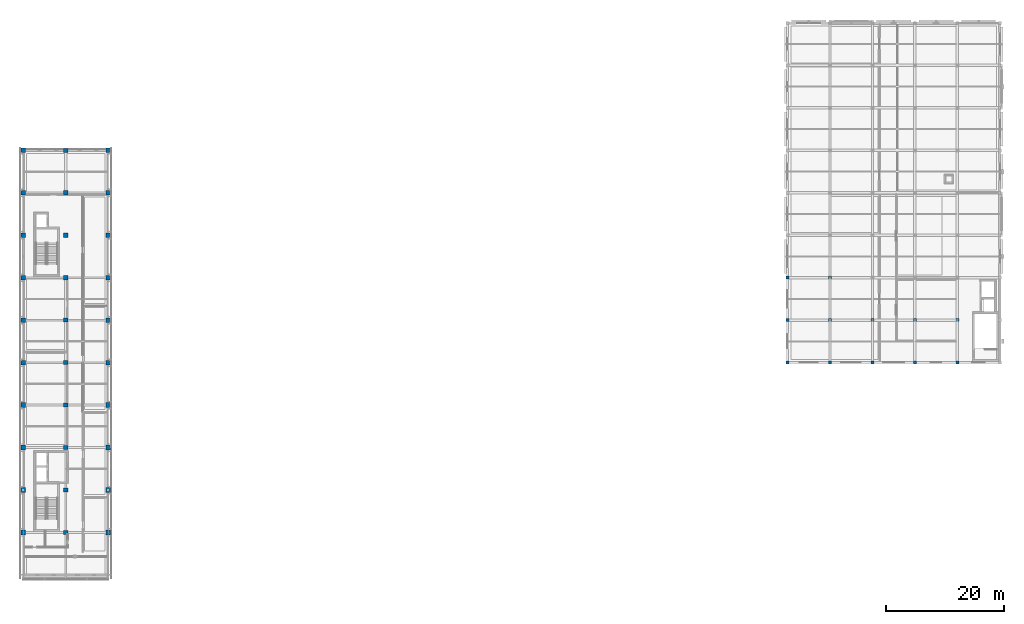
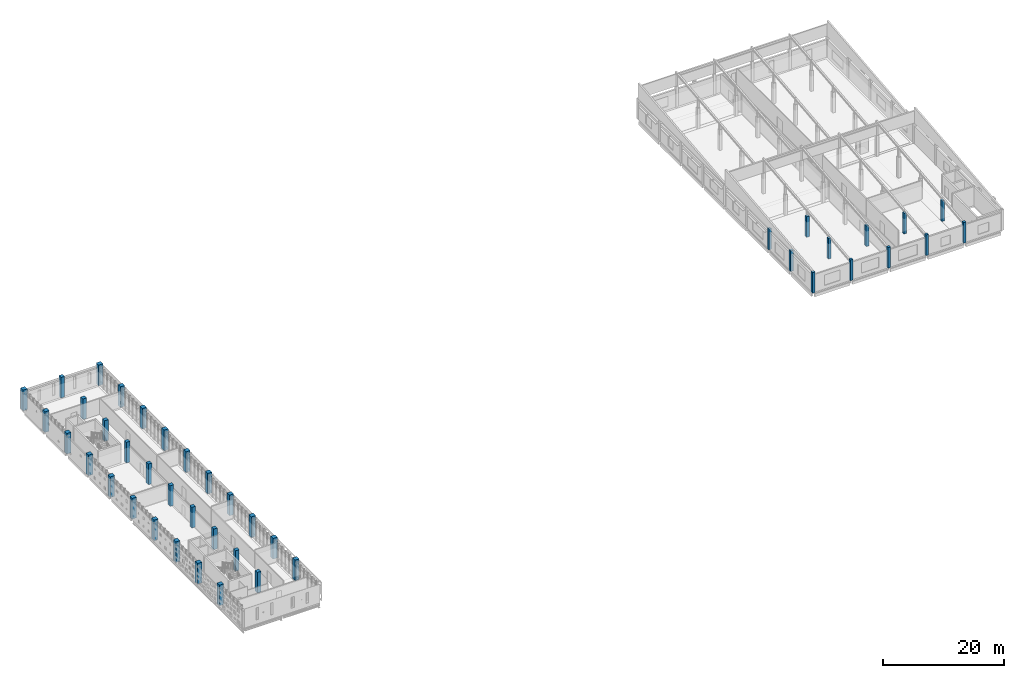
# One storey, part 1 of 33: 42 columns.
"""IFC4 building model written with IfcOpenShell, lengths in metres."""

from ifc_helpers import new_model, si_unit, direction, frame, origin, origin_2d, place, context, subcontext, project, spatial, rectangle, extrude, material, material_profile, profile_set, type_object, element, save


model = new_model("IFC4")

# Units and contexts
model_context = context("Model", 3, precision=1e-05, world=origin(), true_north=direction((0.0, 1.0)))
body_context = subcontext(model_context, "Body", "Model", "MODEL_VIEW")
ifc_project = project(units=[si_unit("LENGTHUNIT", "METRE"), si_unit("AREAUNIT", "SQUARE_METRE"), si_unit("VOLUMEUNIT", "CUBIC_METRE"), si_unit("PLANEANGLEUNIT", "RADIAN"), si_unit("MASSUNIT", "GRAM", prefix="KILO")], contexts=[model_context])

# Site, building, storey
site_placement = place(None, origin())
site = spatial("IfcSite", under=ifc_project, at=site_placement, CompositionType="ELEMENT")
building_placement = place(site_placement, origin())
building = spatial("IfcBuilding", under=site, at=building_placement, Name="Valkovuoma Quantum and Materials Research Institute", CompositionType="ELEMENT")
storey_placement = place(building_placement, frame((0.0, 0.0, 25.60009765625)))
storey = spatial("IfcBuildingStorey", under=building, at=storey_placement, Name="L06", CompositionType="ELEMENT", Elevation=25.60009765625)

# Columns
ifc_material_1 = material(Name="Concrete C40/50", Category="concrete")
ifc_material_profile_1 = material_profile(ifc_material_1, rectangle(XDim=0.5, YDim=0.5, at=origin_2d()), Name="Concrete C40/50")
ifc_profile_set_1 = profile_set([ifc_material_profile_1], Name="Concrete C40/50")
column_type_1 = type_object("IfcColumnType", Name="Col-C-RC500", PredefinedType="COLUMN", material=ifc_profile_set_1)
for number, where, z_axis, x_axis, name in (
    (1, (129.60009765625, 57.60009765625, 0.0), (0.0, 0.0, 1.0), (1.0, 0.0, 0.0), "L06 column 19J"),
    (2, (129.60009765625, 64.800048828125, 0.0), (0.0, 0.0, 1.0), (1.0, 0.0, 0.0), "L06 column 19K"),
    (3, (129.60009765625, 72.0, 0.0), (0.0, 0.0, 1.0), (1.0, 0.0, 0.0), "L06 column 19L"),
    (4, (136.800048828125, 57.60009765625, 0.0), (0.0, 0.0, 1.0), (1.0, 0.0, 0.0), "L06 column 20J"),
    (5, (136.800048828125, 64.800048828125, 0.0), (0.0, 0.0, 1.0), (1.0, 0.0, 0.0), "L06 column 20K"),
    (6, (136.800048828125, 72.0, 0.0), (0.0, 0.0, 1.0), (1.0, 0.0, 0.0), "L06 column 20L"),
    (7, (144.0, 57.60009765625, 0.0), (0.0, 0.0, 1.0), (1.0, 0.0, 0.0), "L06 column 21J"),
    (8, (144.0, 64.800048828125, 0.0), (0.0, 0.0, 1.0), (1.0, 0.0, 0.0), "L06 column 21K"),
    (9, (151.199951171875, 57.60009765625, 0.0), (0.0, 0.0, 1.0), (1.0, 0.0, 0.0), "L06 column 22J"),
    (10, (151.199951171875, 64.800048828125, 0.0), (0.0, 0.0, 1.0), (1.0, 0.0, 0.0), "L06 column 22K"),
    (11, (158.39990234375, 57.60009765625, 0.0), (0.0, 0.0, 1.0), (1.0, 0.0, 0.0), "L06 column 23J"),
    (12, (158.39990234375, 64.800048828125, 0.0), (0.0, 0.0, 1.0), (1.0, 0.0, 0.0), "L06 column 23K"),
):
    element("IfcColumn", number, at=place(storey_placement, frame(where, z_axis=z_axis, x_axis=x_axis)), inside=storey, type_object=column_type_1, Name=name, PredefinedType="COLUMN", context=body_context, shape_type="SweptSolid", body=[
        extrude(rectangle(XDim=0.5, YDim=0.5, at=origin_2d()), origin(), (0.0, 0.0, 1.0), 4.159912109375),
    ])
ifc_material_2 = material(Name="Concrete C40/50", Category="concrete")
ifc_material_profile_2 = material_profile(ifc_material_2, rectangle(XDim=0.699951171875, YDim=0.699951171875, at=origin_2d()), Name="Concrete C40/50")
ifc_profile_set_2 = profile_set([ifc_material_profile_2], Name="Concrete C40/50")
column_type_2 = type_object("IfcColumnType", Name="Col-C-RC700", PredefinedType="COLUMN", material=ifc_profile_set_2)
for number, where, z_axis, x_axis, name in (
    (13, (7.199951171875, 28.800048828125, 0.0), (0.0, 0.0, 1.0), (1.0, 0.0, 0.0), "L06 column 02E"),
    (14, (7.199951171875, 36.0, 0.0), (0.0, 0.0, 1.0), (1.0, 0.0, 0.0), "L06 column 02F"),
    (15, (7.199951171875, 43.199951171875, 0.0), (0.0, 0.0, 1.0), (1.0, 0.0, 0.0), "L06 column 02G"),
    (16, (7.199951171875, 50.39990234375, 0.0), (0.0, 0.0, 1.0), (1.0, 0.0, 0.0), "L06 column 02H"),
    (17, (7.199951171875, 57.60009765625, 0.0), (0.0, 0.0, 1.0), (1.0, 0.0, 0.0), "L06 column 02J"),
    (18, (7.199951171875, 64.800048828125, 0.0), (0.0, 0.0, 1.0), (1.0, 0.0, 0.0), "L06 column 02K"),
    (19, (7.199951171875, 72.0, 0.0), (0.0, 0.0, 1.0), (1.0, 0.0, 0.0), "L06 column 02L"),
    (20, (7.199951171875, 79.199951171875, 0.0), (0.0, 0.0, 1.0), (1.0, 0.0, 0.0), "L06 column 02M"),
    (21, (7.199951171875, 86.39990234375, 0.0), (0.0, 0.0, 1.0), (1.0, 0.0, 0.0), "L06 column 02N"),
    (22, (7.199951171875, 93.60009765625, 0.0), (0.0, 0.0, 1.0), (1.0, 0.0, 0.0), "L06 column 02P"),
):
    element("IfcColumn", number, at=place(storey_placement, frame(where, z_axis=z_axis, x_axis=x_axis)), inside=storey, type_object=column_type_2, Name=name, PredefinedType="COLUMN", context=body_context, shape_type="SweptSolid", body=[
        extrude(rectangle(XDim=0.699951171875, YDim=0.699951171875, at=origin_2d()), origin(), (0.0, 0.0, 1.0), 4.159912109375),
    ])
ifc_material_3 = material(Name="Concrete C50/60", Category="concrete")
ifc_material_profile_3 = material_profile(ifc_material_3, rectangle(XDim=0.800048828125, YDim=0.800048828125, at=origin_2d()), Name="Concrete C50/60")
ifc_profile_set_3 = profile_set([ifc_material_profile_3], Name="Concrete C50/60")
column_type_3 = type_object("IfcColumnType", Name="Col-C-RC800", PredefinedType="COLUMN", material=ifc_profile_set_3)
for number, where, z_axis, x_axis, name in (
    (23, (0.0, 28.800048828125, 0.0), (0.0, 0.0, 1.0), (1.0, 0.0, 0.0), "L06 column 01E"),
    (24, (0.0, 36.0, 0.0), (0.0, 0.0, 1.0), (1.0, 0.0, 0.0), "L06 column 01F"),
    (25, (0.0, 43.199951171875, 0.0), (0.0, 0.0, 1.0), (1.0, 0.0, 0.0), "L06 column 01G"),
    (26, (0.0, 50.39990234375, 0.0), (0.0, 0.0, 1.0), (1.0, 0.0, 0.0), "L06 column 01H"),
    (27, (0.0, 57.60009765625, 0.0), (0.0, 0.0, 1.0), (1.0, 0.0, 0.0), "L06 column 01J"),
    (28, (0.0, 64.800048828125, 0.0), (0.0, 0.0, 1.0), (1.0, 0.0, 0.0), "L06 column 01K"),
    (29, (0.0, 72.0, 0.0), (0.0, 0.0, 1.0), (1.0, 0.0, 0.0), "L06 column 01L"),
    (30, (0.0, 79.199951171875, 0.0), (0.0, 0.0, 1.0), (1.0, 0.0, 0.0), "L06 column 01M"),
    (31, (0.0, 86.39990234375, 0.0), (0.0, 0.0, 1.0), (1.0, 0.0, 0.0), "L06 column 01N"),
    (32, (0.0, 93.60009765625, 0.0), (0.0, 0.0, 1.0), (1.0, 0.0, 0.0), "L06 column 01P"),
    (33, (14.39990234375, 28.800048828125, 0.0), (0.0, 0.0, 1.0), (1.0, 0.0, 0.0), "L06 column 03E"),
    (34, (14.39990234375, 36.0, 0.0), (0.0, 0.0, 1.0), (1.0, 0.0, 0.0), "L06 column 03F"),
    (35, (14.39990234375, 43.199951171875, 0.0), (0.0, 0.0, 1.0), (1.0, 0.0, 0.0), "L06 column 03G"),
    (36, (14.39990234375, 50.39990234375, 0.0), (0.0, 0.0, 1.0), (1.0, 0.0, 0.0), "L06 column 03H"),
    (37, (14.39990234375, 57.60009765625, 0.0), (0.0, 0.0, 1.0), (1.0, 0.0, 0.0), "L06 column 03J"),
    (38, (14.39990234375, 64.800048828125, 0.0), (0.0, 0.0, 1.0), (1.0, 0.0, 0.0), "L06 column 03K"),
    (39, (14.39990234375, 72.0, 0.0), (0.0, 0.0, 1.0), (1.0, 0.0, 0.0), "L06 column 03L"),
    (40, (14.39990234375, 79.199951171875, 0.0), (0.0, 0.0, 1.0), (1.0, 0.0, 0.0), "L06 column 03M"),
    (41, (14.39990234375, 86.39990234375, 0.0), (0.0, 0.0, 1.0), (1.0, 0.0, 0.0), "L06 column 03N"),
    (42, (14.39990234375, 93.60009765625, 0.0), (0.0, 0.0, 1.0), (1.0, 0.0, 0.0), "L06 column 03P"),
):
    element("IfcColumn", number, at=place(storey_placement, frame(where, z_axis=z_axis, x_axis=x_axis)), inside=storey, type_object=column_type_3, Name=name, PredefinedType="COLUMN", context=body_context, shape_type="SweptSolid", body=[
        extrude(rectangle(XDim=0.800048828125, YDim=0.800048828125, at=origin_2d()), origin(), (0.0, 0.0, 1.0), 4.159912109375),
    ])

save(model, "model.ifc")
